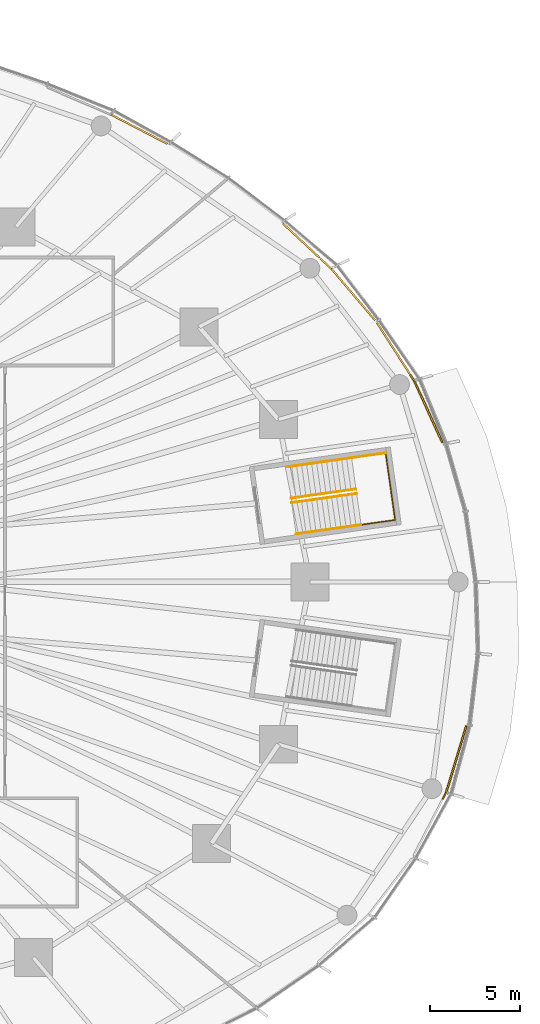
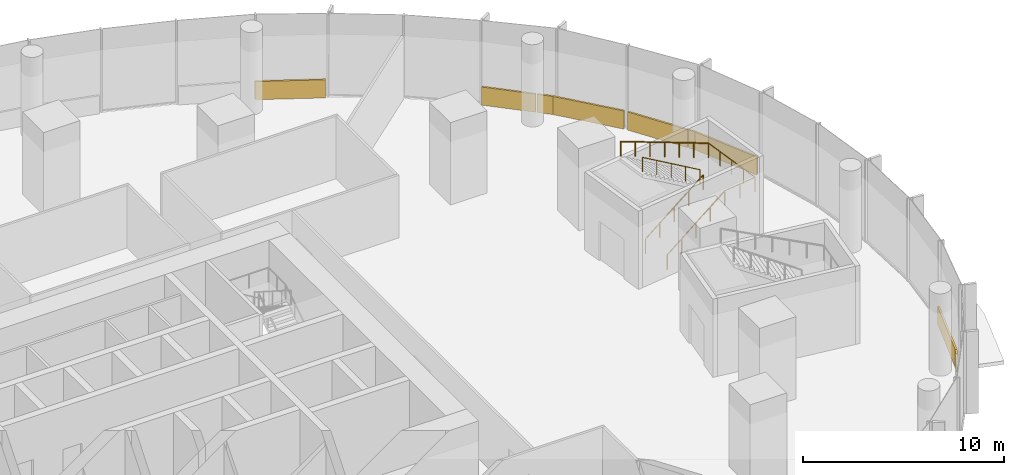
# One storey, part 28 of 28: 9 coverings, 5 railings.
"""IFC4 building model written with IfcOpenShell, lengths in metres."""

from ifc_helpers import new_model, si_unit, direction, frame, origin, origin_2d, place, context, subcontext, project, spatial, rectangle, circle, extrude, material, layer, layer_set, type_object, element, save


model = new_model("IFC4")

# Units and contexts
model_context = context("Model", 3, precision=1e-05, world=origin(), true_north=direction((0.0, 1.0)))
body_context = subcontext(model_context, "Body", "Model", "MODEL_VIEW")
ifc_project = project(units=[si_unit("LENGTHUNIT", "METRE"), si_unit("AREAUNIT", "SQUARE_METRE"), si_unit("VOLUMEUNIT", "CUBIC_METRE"), si_unit("PLANEANGLEUNIT", "RADIAN"), si_unit("MASSUNIT", "GRAM", prefix="KILO")], contexts=[model_context])

# Site, building, storey
site_placement = place(None, origin())
site = spatial("IfcSite", under=ifc_project, at=site_placement, CompositionType="ELEMENT")
building_placement = place(site_placement, origin())
building = spatial("IfcBuilding", under=site, at=building_placement, Name="Ghaith Harvest Tower", CompositionType="ELEMENT")
storey_placement = place(building_placement, frame((0.0, 0.0, 5.0)))
storey = spatial("IfcBuildingStorey", under=building, at=storey_placement, Name="L01", CompositionType="ELEMENT", Elevation=5.0)

# Railings
ifc_material_1 = material(Name="Steel, black powder-coated", Category="steel")
railing_type = type_object("IfcRailingType", Name="HANDRAIL HR1", PredefinedType="HANDRAIL", material=ifc_material_1)
railing_1_placement = place(storey_placement, frame((31.8994140625, 4.39111328125, 0.178466796875)))
element("IfcRailing", 1, at=railing_1_placement, inside=storey, type_object=railing_type, Name="Handrail HR1 stair PS1 L01 flight 1 inner", PredefinedType="HANDRAIL", context=body_context, shape_type="SweptSolid", body=[
    extrude(circle(Radius=0.02392578125, at=origin_2d()), frame((0.0, 0.0, 0.8759765625), z_axis=(0.834784375855, 0.118245097542, 0.537729618615), x_axis=(-0.140247497288, 0.990116477746, 0.0)), (0.0, 0.0, 1.0), 4.3173828125),
    extrude(circle(Radius=0.02099609375, at=origin_2d()), origin(), (0.0, 0.0, 1.0), 0.851806640625),
    extrude(circle(Radius=0.02099609375, at=origin_2d()), frame((0.90087890625, 0.127685546875, 0.580322265625)), (0.0, 0.0, 1.0), 0.851806640625),
    extrude(circle(Radius=0.02099609375, at=origin_2d()), frame((1.802001953125, 0.25537109375, 1.16064453125)), (0.0, 0.0, 1.0), 0.851806640625),
    extrude(circle(Radius=0.02099609375, at=origin_2d()), frame((2.703125, 0.3828125, 1.7412109375)), (0.0, 0.0, 1.0), 0.851806640625),
    extrude(circle(Radius=0.02099609375, at=origin_2d()), frame((3.60400390625, 0.510498046875, 2.321533203125)), (0.0, 0.0, 1.0), 0.851806640625),
])
railing_2_placement = place(storey_placement, frame((35.468505859375, 5.14892578125, 2.678466796875)))
element("IfcRailing", 2, at=railing_2_placement, inside=storey, type_object=railing_type, Name="Handrail HR1 stair PS1 L01 flight 2 inner", PredefinedType="HANDRAIL", context=body_context, shape_type="SweptSolid", body=[
    extrude(circle(Radius=0.02392578125, at=origin_2d()), frame((0.0, 0.0, 0.8759765625), z_axis=(-0.834789956534, -0.118189338108, 0.537733213432), x_axis=(0.140181743649, -0.990125789356, 0.0)), (0.0, 0.0, 1.0), 4.317138671875),
    extrude(circle(Radius=0.02099609375, at=origin_2d()), origin(), (0.0, 0.0, 1.0), 0.851806640625),
    extrude(circle(Radius=0.02099609375, at=origin_2d()), frame((-0.90087890625, -0.12744140625, 0.580322265625)), (0.0, 0.0, 1.0), 0.851806640625),
    extrude(circle(Radius=0.02099609375, at=origin_2d()), frame((-1.802001953125, -0.255126953125, 1.16064453125)), (0.0, 0.0, 1.0), 0.851806640625),
    extrude(circle(Radius=0.02099609375, at=origin_2d()), frame((-2.703125, -0.3828125, 1.7412109375)), (0.0, 0.0, 1.0), 0.851806640625),
    extrude(circle(Radius=0.02099609375, at=origin_2d()), frame((-3.60400390625, -0.51025390625, 2.321533203125)), (0.0, 0.0, 1.0), 0.851806640625),
])
railing_3_placement = place(storey_placement, frame((32.144775390625, 2.658447265625, 0.178466796875)))
element("IfcRailing", 3, at=railing_3_placement, inside=storey, type_object=railing_type, Name="Handrail HR1 stair PS1 L01 wall side flight 1", PredefinedType="HANDRAIL", context=body_context, shape_type="SweptSolid", body=[
    extrude(circle(Radius=0.02392578125, at=origin_2d()), frame((0.0, 0.0, 0.8759765625), z_axis=(0.834789956534, 0.118189338108, 0.537733213432), x_axis=(-0.140181743649, 0.990125789356, 0.0)), (0.0, 0.0, 1.0), 4.317138671875),
    extrude(circle(Radius=0.02099609375, at=origin_2d()), origin(), (0.0, 0.0, 1.0), 0.851806640625),
    extrude(circle(Radius=0.02099609375, at=origin_2d()), frame((0.90087890625, 0.12744140625, 0.580322265625)), (0.0, 0.0, 1.0), 0.851806640625),
    extrude(circle(Radius=0.02099609375, at=origin_2d()), frame((1.802001953125, 0.255126953125, 1.16064453125)), (0.0, 0.0, 1.0), 0.851806640625),
    extrude(circle(Radius=0.02099609375, at=origin_2d()), frame((2.703125, 0.3828125, 1.7412109375)), (0.0, 0.0, 1.0), 0.851806640625),
    extrude(circle(Radius=0.02099609375, at=origin_2d()), frame((3.60400390625, 0.51025390625, 2.321533203125)), (0.0, 0.0, 1.0), 0.851806640625),
])
railing_4_placement = place(storey_placement, frame((35.748779296875, 3.168701171875, 2.5)))
element("IfcRailing", 4, at=railing_4_placement, inside=storey, type_object=railing_type, Name="Handrail HR1 stair PS1 L01 wall side half landing", PredefinedType="HANDRAIL", context=body_context, shape_type="SweptSolid", body=[
    extrude(circle(Radius=0.02392578125, at=origin_2d()), frame((0.0, 0.0, 0.8759765625), z_axis=(0.990120050938, 0.140222269026, 0.0), x_axis=(-0.140222269026, 0.990120050938, 0.0)), (0.0, 0.0, 1.0), 1.909912109375),
    extrude(circle(Radius=0.02392578125, at=origin_2d()), frame((1.89111328125, 0.267822265625, 0.8759765625), z_axis=(-0.140172516892, 0.990127095634, 0.0), x_axis=(-0.990127095634, -0.140172516892, 0.0)), (0.0, 0.0, 1.0), 3.75),
    extrude(circle(Radius=0.02099609375, at=origin_2d()), origin(), (0.0, 0.0, 1.0), 0.851806640625),
    extrude(circle(Radius=0.02099609375, at=origin_2d()), frame((0.945556640625, 0.1337890625, 0.0)), (0.0, 0.0, 1.0), 0.851806640625),
    extrude(circle(Radius=0.02099609375, at=origin_2d()), frame((1.89111328125, 0.267822265625, 0.0)), (0.0, 0.0, 1.0), 0.851806640625),
    extrude(circle(Radius=0.02099609375, at=origin_2d()), frame((1.759765625, 1.196044921875, 0.0)), (0.0, 0.0, 1.0), 0.851806640625),
    extrude(circle(Radius=0.02099609375, at=origin_2d()), frame((1.62841796875, 2.124267578125, 0.0)), (0.0, 0.0, 1.0), 0.851806640625),
    extrude(circle(Radius=0.02099609375, at=origin_2d()), frame((1.496826171875, 3.052490234375, 0.0)), (0.0, 0.0, 1.0), 0.851806640625),
    extrude(circle(Radius=0.02099609375, at=origin_2d()), frame((1.365478515625, 3.980712890625, 0.0)), (0.0, 0.0, 1.0), 0.851806640625),
])
railing_5_placement = place(storey_placement, frame((37.1142578125, 7.1494140625, 2.5)))
element("IfcRailing", 5, at=railing_5_placement, inside=storey, type_object=railing_type, Name="Handrail HR1 stair PS1 L01 wall side flight 2", PredefinedType="HANDRAIL", context=body_context, shape_type="SweptSolid", body=[
    extrude(circle(Radius=0.02392578125, at=origin_2d()), frame((0.0, 0.0, 0.8759765625), z_axis=(-0.902768440566, -0.127821005824, 0.410695669794), x_axis=(0.140189584289, -0.990124679248, 0.0)), (0.0, 0.0, 1.0), 6.087158203125),
    extrude(circle(Radius=0.02099609375, at=origin_2d()), origin(), (0.0, 0.0, 1.0), 0.851806640625),
    extrude(circle(Radius=0.02099609375, at=origin_2d()), frame((-0.916015625, -0.129638671875, 0.416748046875)), (0.0, 0.0, 1.0), 0.851806640625),
    extrude(circle(Radius=0.02099609375, at=origin_2d()), frame((-1.831787109375, -0.25927734375, 0.833251953125)), (0.0, 0.0, 1.0), 0.851806640625),
    extrude(circle(Radius=0.02099609375, at=origin_2d()), frame((-2.74755859375, -0.38916015625, 1.25)), (0.0, 0.0, 1.0), 0.851806640625),
    extrude(circle(Radius=0.02099609375, at=origin_2d()), frame((-3.66357421875, -0.518798828125, 1.666748046875)), (0.0, 0.0, 1.0), 0.851806640625),
    extrude(circle(Radius=0.02099609375, at=origin_2d()), frame((-4.57958984375, -0.6484375, 2.083251953125)), (0.0, 0.0, 1.0), 0.851806640625),
    extrude(circle(Radius=0.02099609375, at=origin_2d()), frame((-5.495361328125, -0.778076171875, 2.5)), (0.0, 0.0, 1.0), 0.851806640625),
])

# Coverings
ifc_material_2 = material(Name="Insulated aluminium spandrel panel on steel framing", Category="steel")
ifc_layer = layer(ifc_material_2, 0.10009765625)
ifc_layer_set = layer_set([ifc_layer], Name="SLAB EDGE UPSTAND 1100x100")
covering_type = type_object("IfcCoveringType", Name="SLAB EDGE UPSTAND 1100x100", PredefinedType="CLADDING", material=ifc_layer_set)
covering_1_placement = place(storey_placement, frame((39.476318359375, 9.45166015625, 0.0), z_axis=(0.0, 0.0, 1.0), x_axis=(-0.414686856566, 0.909964181158, 0.0)))
element("IfcCovering", 6, at=covering_1_placement, inside=storey, type_object=covering_type, Name="Slab edge upstand 3 bay 01 L01", PredefinedType="CLADDING", context=body_context, shape_type="SweptSolid", body=[
    extrude(rectangle(XDim=3.78759765625, YDim=0.10009765625, at=origin_2d()), origin(), (0.0, 0.0, 1.0), 1.10009765625),
])
covering_2_placement = place(storey_placement, frame((38.59033203125, 11.330810546875, 0.0), z_axis=(0.0, 0.0, 1.0), x_axis=(-0.540681780741, 0.841227205917, 0.0)))
element("IfcCovering", 7, at=covering_2_placement, inside=storey, type_object=covering_type, Name="Slab edge upstand 1 bay 02 L01", PredefinedType="CLADDING", context=body_context, shape_type="SweptSolid", body=[
    extrude(rectangle(XDim=0.385498046875, YDim=0.10009765625, at=origin_2d()), origin(), (0.0, 0.0, 1.0), 1.10009765625),
])
covering_3_placement = place(storey_placement, frame((37.548095703125, 12.952392578125, 0.0), z_axis=(0.0, 0.0, 1.0), x_axis=(-0.540681780741, 0.841227205917, 0.0)))
element("IfcCovering", 8, at=covering_3_placement, inside=storey, type_object=covering_type, Name="Slab edge upstand 1 bay 02 L01", PredefinedType="CLADDING", context=body_context, shape_type="SweptSolid", body=[
    extrude(rectangle(XDim=3.367431640625, YDim=0.10009765625, at=origin_2d()), origin(), (0.0, 0.0, 1.0), 1.10009765625),
])
covering_4_placement = place(storey_placement, frame((35.311767578125, 15.951416015625, 0.0), z_axis=(0.0, 0.0, 1.0), x_axis=(-0.64698267816, 0.762504697796, 0.0)))
element("IfcCovering", 9, at=covering_4_placement, inside=storey, type_object=covering_type, Name="Slab edge upstand 2 bay 02 L01", PredefinedType="CLADDING", context=body_context, shape_type="SweptSolid", body=[
    extrude(rectangle(XDim=3.744140625, YDim=0.10009765625, at=origin_2d()), origin(), (0.0, 0.0, 1.0), 1.10009765625),
])
covering_5_placement = place(storey_placement, frame((33.80419921875, 17.65478515625, 0.0), z_axis=(0.0, 0.0, 1.0), x_axis=(-0.731136860441, 0.682230819668, 0.0)))
element("IfcCovering", 10, at=covering_5_placement, inside=storey, type_object=covering_type, Name="Slab edge upstand 3 bay 02 L01", PredefinedType="CLADDING", context=body_context, shape_type="SweptSolid", body=[
    extrude(rectangle(XDim=0.821044921875, YDim=0.10009765625, at=origin_2d()), origin(), (0.0, 0.0, 1.0), 1.10009765625),
])
covering_6_placement = place(storey_placement, frame((32.435791015625, 18.931640625, 0.0), z_axis=(0.0, 0.0, 1.0), x_axis=(-0.731136860441, 0.682230819668, 0.0)))
element("IfcCovering", 11, at=covering_6_placement, inside=storey, type_object=covering_type, Name="Slab edge upstand 3 bay 02 L01", PredefinedType="CLADDING", context=body_context, shape_type="SweptSolid", body=[
    extrude(rectangle(XDim=2.755859375, YDim=0.10009765625, at=origin_2d()), origin(), (0.0, 0.0, 1.0), 1.10009765625),
])
covering_7_placement = place(storey_placement, frame((23.438720703125, 25.116455078125, 0.0), z_axis=(0.0, 0.0, 1.0), x_axis=(-0.887346362731, 0.4611034944, 0.0)))
element("IfcCovering", 12, at=covering_7_placement, inside=storey, type_object=covering_type, Name="Slab edge upstand 3 bay 03 L01", PredefinedType="CLADDING", context=body_context, shape_type="SweptSolid", body=[
    extrude(rectangle(XDim=3.51708984375, YDim=0.10009765625, at=origin_2d()), origin(), (0.0, 0.0, 1.0), 1.10009765625),
])
covering_8_placement = place(storey_placement, frame((40.377197265625, -11.8642578125, 0.0), z_axis=(0.0, 0.0, 1.0), x_axis=(0.458352603838, 0.888770437489, 0.0)))
element("IfcCovering", 13, at=covering_8_placement, inside=storey, type_object=covering_type, Name="Slab edge upstand 3 bay 19 L01", PredefinedType="CLADDING", context=body_context, shape_type="SweptSolid", body=[
    extrude(rectangle(XDim=0.400390625, YDim=0.10009765625, at=origin_2d()), origin(), (0.0, 0.0, 1.0), 1.10009765625),
])
covering_9_placement = place(storey_placement, frame((41.02490234375, -9.841796875, 0.0), z_axis=(0.0, 0.0, 1.0), x_axis=(0.289014856276, 0.957324612058, 0.0)))
element("IfcCovering", 14, at=covering_9_placement, inside=storey, type_object=covering_type, Name="Slab edge upstand 1 bay 20 L01", PredefinedType="CLADDING", context=body_context, shape_type="SweptSolid", body=[
    extrude(rectangle(XDim=3.871337890625, YDim=0.10009765625, at=origin_2d()), origin(), (0.0, 0.0, 1.0), 1.10009765625),
])

save(model, "model.ifc")
